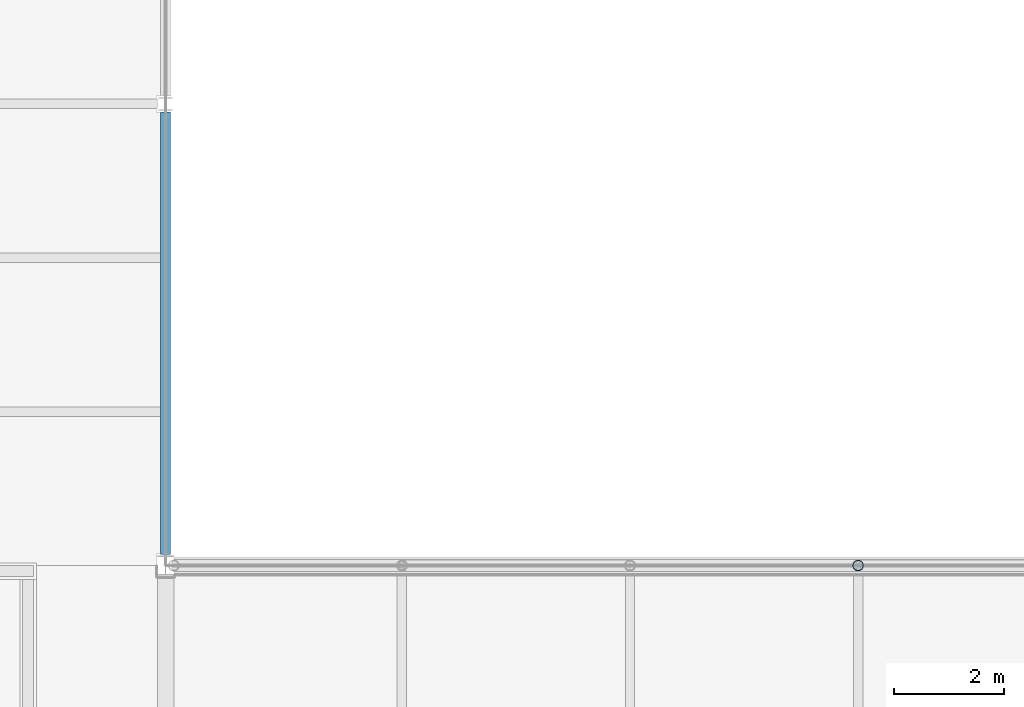
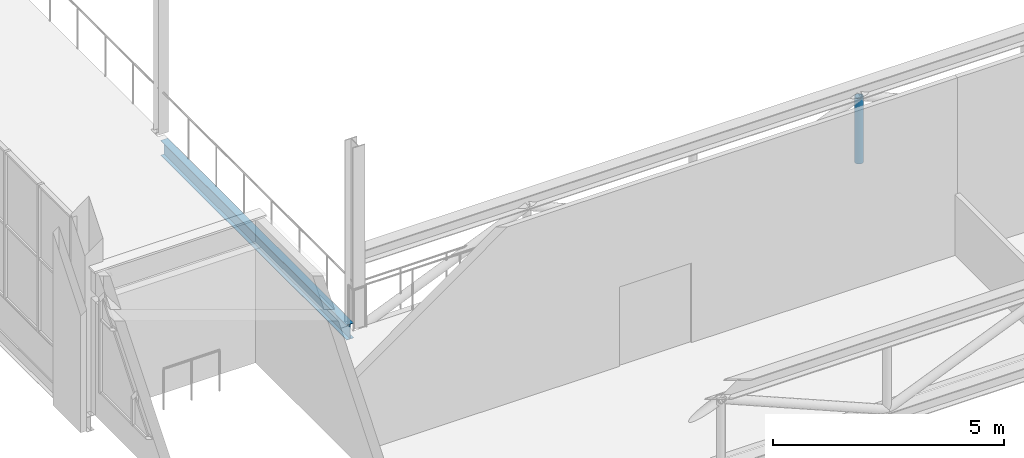
# One storey, part 18 of 76: 1 beam, 1 member.
"""IFC4 building model written with IfcOpenShell, lengths in metres."""

from ifc_helpers import new_model, si_unit, direction, frame, origin, origin_2d, place, context, subcontext, project, spatial, hollow_circle, i_section, extrude, material, material_profile, profile_set, type_object, element, save


model = new_model("IFC4")

# Units and contexts
model_context = context("Model", 3, precision=1e-05, world=origin(), true_north=direction((0.0, 1.0)))
body_context = subcontext(model_context, "Body", "Model", "MODEL_VIEW")
ifc_project = project(units=[si_unit("LENGTHUNIT", "METRE"), si_unit("AREAUNIT", "SQUARE_METRE"), si_unit("VOLUMEUNIT", "CUBIC_METRE"), si_unit("PLANEANGLEUNIT", "RADIAN"), si_unit("MASSUNIT", "GRAM", prefix="KILO")], contexts=[model_context])

# Site, building, storey
site_placement = place(None, origin())
site = spatial("IfcSite", under=ifc_project, at=site_placement, CompositionType="ELEMENT")
building_placement = place(site_placement, origin())
building = spatial("IfcBuilding", under=site, at=building_placement, Name="Sava Quay Ferry Terminal", CompositionType="ELEMENT")
storey_placement = place(building_placement, frame((0.0, 0.0, 6.0)))
storey = spatial("IfcBuildingStorey", under=building, at=storey_placement, Name="L01", CompositionType="ELEMENT", Elevation=6.0)

# Beam
ifc_material_1 = material(Name="Steel S355", Category="steel")
ifc_material_profile_1 = material_profile(ifc_material_1, i_section(OverallWidth=0.179931640625, OverallDepth=0.39990234375, WebThickness=0.008544921875, FlangeThickness=0.013427734375, at=origin_2d()), Name="IPE 400")
ifc_profile_set_1 = profile_set([ifc_material_profile_1], Name="Steel S355")
beam_type = type_object("IfcBeamType", Name="Beam IPE 400", PredefinedType="BEAM", material=ifc_profile_set_1)
beam_placement = place(storey_placement, frame((50.39990234375, 59.0, -0.330078125), z_axis=(0.0, 1.0, 0.0), x_axis=(-1.0, 0.0, 0.0)))
element("IfcBeam", 1, at=beam_placement, inside=storey, type_object=beam_type, Name="Girder L01", PredefinedType="BEAM", context=body_context, shape_type="SweptSolid", body=[
    extrude(i_section(OverallWidth=0.179931640625, OverallDepth=0.39990234375, WebThickness=0.008544921875, FlangeThickness=0.013427734375, at=origin_2d()), origin(), (0.0, 0.0, 1.0), 8.054931640625),
])

# Member
ifc_material_2 = material(Name="Steel S355", Category="steel")
ifc_material_profile_2 = material_profile(ifc_material_2, hollow_circle(Radius=0.096923828125, WallThickness=0.008056640625, at=origin_2d()), Name="CHS 193.7 x 8")
ifc_profile_set_2 = profile_set([ifc_material_profile_2], Name="Steel S355")
member_type = type_object("IfcMemberType", Name="Brace CHS 193.7 x 8", PredefinedType="BRACE", material=ifc_profile_set_2)
member_placement = place(storey_placement, frame((63.0, 58.800048828125, -0.1298828125), z_axis=(0.0, 0.0, 1.0), x_axis=(1.0, 0.0, 0.0)))
element("IfcMember", 2, at=member_placement, inside=storey, type_object=member_type, Name="Truss post 58.8", PredefinedType="BRACE", context=body_context, shape_type="SweptSolid", body=[
    extrude(hollow_circle(Radius=0.096923828125, WallThickness=0.008056640625, at=origin_2d()), origin(), (0.0, 0.0, 1.0), 1.739990234375),
])

save(model, "model.ifc")
